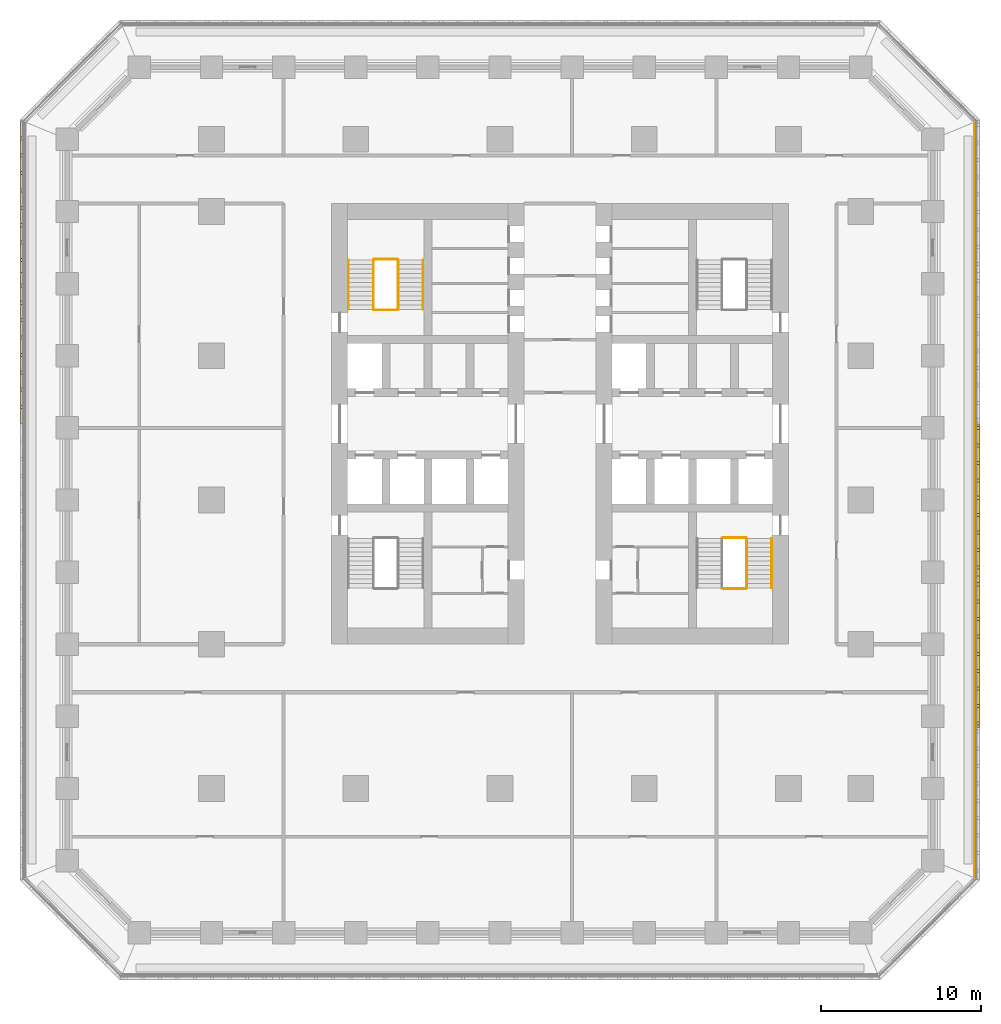
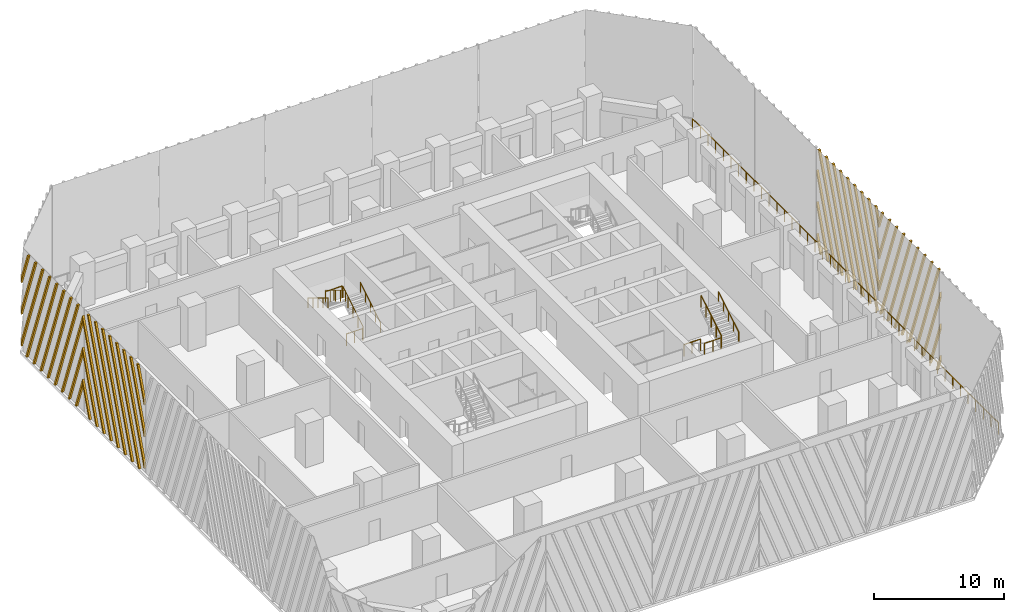
# One storey, part 9 of 12: 11 railings, 4 shading devices.
"""IFC4 building model written with IfcOpenShell, lengths in metres."""

from ifc_helpers import new_model, si_unit, direction, frame, origin, origin_2d, place, context, subcontext, project, spatial, polyline, circle, outline, extrude, source, transform, mapped, material, type_object, element, save


model = new_model("IFC4")

# Units and contexts
model_context = context("Model", 3, precision=1e-05, world=origin(), true_north=direction((0.0, 1.0)))
body_context = subcontext(model_context, "Body", "Model", "MODEL_VIEW")
ifc_project = project(units=[si_unit("LENGTHUNIT", "METRE"), si_unit("AREAUNIT", "SQUARE_METRE"), si_unit("VOLUMEUNIT", "CUBIC_METRE"), si_unit("PLANEANGLEUNIT", "RADIAN"), si_unit("MASSUNIT", "GRAM", prefix="KILO")], contexts=[model_context])

# Site, building, storey
site_placement = place(None, origin())
site = spatial("IfcSite", under=ifc_project, at=site_placement, CompositionType="ELEMENT")
building_placement = place(site_placement, origin())
building = spatial("IfcBuilding", under=site, at=building_placement, Name="Corbel Stack Research Tower", CompositionType="ELEMENT")
storey_placement = place(building_placement, frame((0.0, 0.0, 31.800048828125)))
storey = spatial("IfcBuildingStorey", under=building, at=storey_placement, Name="L07", CompositionType="ELEMENT", Elevation=31.800048828125)

# Railings
ifc_material_1 = material(Name="Steel S355", Category="steel")
railing_type_1 = type_object("IfcRailingType", Name="Stair guard 1100", PredefinedType="GUARDRAIL", material=ifc_material_1)
railing_1_placement = place(storey_placement, frame((-6.35009765625, 11.89990234375, 0.1708984375)))
element("IfcRailing", 1, at=railing_1_placement, inside=storey, type_object=railing_type_1, Name="L07 ST-W2 stair guard 1", PredefinedType="GUARDRAIL", context=body_context, shape_type="SweptSolid", body=[
    extrude(circle(Radius=0.02392578125, at=origin_2d()), frame((0.0, 0.0, 1.076171875), z_axis=(0.0, 0.853666305674, 0.52082035152), x_axis=(-1.0, 0.0, 0.0)), (0.0, 0.0, 1.0), 3.608154296875),
    extrude(circle(Radius=0.02099609375, at=origin_2d()), origin(), (0.0, 0.0, 1.0), 1.052001953125),
    extrude(circle(Radius=0.02099609375, at=origin_2d()), frame((0.0, 0.77001953125, 0.4697265625)), (0.0, 0.0, 1.0), 1.052001953125),
    extrude(circle(Radius=0.02099609375, at=origin_2d()), frame((0.0, 1.5400390625, 0.939453125)), (0.0, 0.0, 1.0), 1.052001953125),
    extrude(circle(Radius=0.02099609375, at=origin_2d()), frame((0.0, 2.31005859375, 1.409423828125)), (0.0, 0.0, 1.0), 1.052001953125),
    extrude(circle(Radius=0.02099609375, at=origin_2d()), frame((0.0, 3.080078125, 1.879150390625)), (0.0, 0.0, 1.0), 1.052001953125),
])
railing_2_placement = place(storey_placement, frame((-6.39990234375, 15.030029296875, 2.050048828125)))
element("IfcRailing", 2, at=railing_2_placement, inside=storey, type_object=railing_type_1, Name="L07 ST-W2 stair guard 2", PredefinedType="GUARDRAIL", context=body_context, shape_type="SweptSolid", body=[
    extrude(circle(Radius=0.02392578125, at=origin_2d()), frame((0.0, 0.0, 1.076171875), z_axis=(-1.0, 0.0, 0.0), x_axis=(0.0, -1.0, 0.0)), (0.0, 0.0, 1.0), 1.4501953125),
    extrude(circle(Radius=0.02099609375, at=origin_2d()), origin(), (0.0, 0.0, 1.0), 1.052001953125),
    extrude(circle(Radius=0.02099609375, at=origin_2d()), frame((-0.72509765625, 0.0, 0.0)), (0.0, 0.0, 1.0), 1.052001953125),
    extrude(circle(Radius=0.02099609375, at=origin_2d()), frame((-1.4501953125, 0.0, 0.0)), (0.0, 0.0, 1.0), 1.052001953125),
])
railing_3_placement = place(storey_placement, frame((-7.89990234375, 14.97998046875, 2.220703125)))
element("IfcRailing", 3, at=railing_3_placement, inside=storey, type_object=railing_type_1, Name="L07 ST-W2 stair guard 3", PredefinedType="GUARDRAIL", context=body_context, shape_type="SweptSolid", body=[
    extrude(circle(Radius=0.02392578125, at=origin_2d()), frame((0.0, 0.0, 1.076171875), z_axis=(0.0, -0.853666305674, 0.52082035152), x_axis=(1.0, 0.0, 0.0)), (0.0, 0.0, 1.0), 3.608154296875),
    extrude(circle(Radius=0.02099609375, at=origin_2d()), origin(), (0.0, 0.0, 1.0), 1.052001953125),
    extrude(circle(Radius=0.02099609375, at=origin_2d()), frame((0.0, -0.77001953125, 0.4697265625)), (0.0, 0.0, 1.0), 1.052001953125),
    extrude(circle(Radius=0.02099609375, at=origin_2d()), frame((0.0, -1.5400390625, 0.939453125)), (0.0, 0.0, 1.0), 1.052001953125),
    extrude(circle(Radius=0.02099609375, at=origin_2d()), frame((0.0, -2.31005859375, 1.409423828125)), (0.0, 0.0, 1.0), 1.052001953125),
    extrude(circle(Radius=0.02099609375, at=origin_2d()), frame((0.0, -3.080078125, 1.879150390625)), (0.0, 0.0, 1.0), 1.052001953125),
])
railing_4_placement = place(storey_placement, frame((-6.39990234375, 11.85009765625, 0.0)))
element("IfcRailing", 4, at=railing_4_placement, inside=storey, type_object=railing_type_1, Name="L07 ST-W2 stair guard 4", PredefinedType="GUARDRAIL", context=body_context, shape_type="SweptSolid", body=[
    extrude(circle(Radius=0.02392578125, at=origin_2d()), frame((0.0, 0.0, 1.076171875), z_axis=(-1.0, 0.0, 0.0), x_axis=(0.0, -1.0, 0.0)), (0.0, 0.0, 1.0), 1.4501953125),
    extrude(circle(Radius=0.02099609375, at=origin_2d()), origin(), (0.0, 0.0, 1.0), 1.052001953125),
    extrude(circle(Radius=0.02099609375, at=origin_2d()), frame((-0.72509765625, 0.0, 0.0)), (0.0, 0.0, 1.0), 1.052001953125),
    extrude(circle(Radius=0.02099609375, at=origin_2d()), frame((-1.4501953125, 0.0, 0.0)), (0.0, 0.0, 1.0), 1.052001953125),
])
railing_5_placement = place(storey_placement, frame((13.89990234375, -5.530029296875, 2.050048828125)))
element("IfcRailing", 5, at=railing_5_placement, inside=storey, type_object=railing_type_1, Name="L07 ST-E1 stair guard 2", PredefinedType="GUARDRAIL", context=body_context, shape_type="SweptSolid", body=[
    extrude(circle(Radius=0.02392578125, at=origin_2d()), frame((0.0, 0.0, 1.076171875), z_axis=(1.0, 0.0, 0.0), x_axis=(0.0, 1.0, 0.0)), (0.0, 0.0, 1.0), 1.4501953125),
    extrude(circle(Radius=0.02099609375, at=origin_2d()), origin(), (0.0, 0.0, 1.0), 1.052001953125),
    extrude(circle(Radius=0.02099609375, at=origin_2d()), frame((0.72509765625, 0.0, 0.0)), (0.0, 0.0, 1.0), 1.052001953125),
    extrude(circle(Radius=0.02099609375, at=origin_2d()), frame((1.4501953125, 0.0, 0.0)), (0.0, 0.0, 1.0), 1.052001953125),
])
railing_6_placement = place(storey_placement, frame((15.39990234375, -5.47998046875, 2.220703125)))
element("IfcRailing", 6, at=railing_6_placement, inside=storey, type_object=railing_type_1, Name="L07 ST-E1 stair guard 3", PredefinedType="GUARDRAIL", context=body_context, shape_type="SweptSolid", body=[
    extrude(circle(Radius=0.02392578125, at=origin_2d()), frame((0.0, 0.0, 1.076171875), z_axis=(0.0, 0.853666305674, 0.52082035152), x_axis=(-1.0, 0.0, 0.0)), (0.0, 0.0, 1.0), 3.608154296875),
    extrude(circle(Radius=0.02099609375, at=origin_2d()), origin(), (0.0, 0.0, 1.0), 1.052001953125),
    extrude(circle(Radius=0.02099609375, at=origin_2d()), frame((0.0, 0.77001953125, 0.4697265625)), (0.0, 0.0, 1.0), 1.052001953125),
    extrude(circle(Radius=0.02099609375, at=origin_2d()), frame((0.0, 1.5400390625, 0.939453125)), (0.0, 0.0, 1.0), 1.052001953125),
    extrude(circle(Radius=0.02099609375, at=origin_2d()), frame((0.0, 2.31005859375, 1.409423828125)), (0.0, 0.0, 1.0), 1.052001953125),
    extrude(circle(Radius=0.02099609375, at=origin_2d()), frame((0.0, 3.080078125, 1.879150390625)), (0.0, 0.0, 1.0), 1.052001953125),
])
railing_7_placement = place(storey_placement, frame((13.89990234375, -2.35009765625, 0.0)))
element("IfcRailing", 7, at=railing_7_placement, inside=storey, type_object=railing_type_1, Name="L07 ST-E1 stair guard 4", PredefinedType="GUARDRAIL", context=body_context, shape_type="SweptSolid", body=[
    extrude(circle(Radius=0.02392578125, at=origin_2d()), frame((0.0, 0.0, 1.076171875), z_axis=(1.0, 0.0, 0.0), x_axis=(0.0, 1.0, 0.0)), (0.0, 0.0, 1.0), 1.4501953125),
    extrude(circle(Radius=0.02099609375, at=origin_2d()), origin(), (0.0, 0.0, 1.0), 1.052001953125),
    extrude(circle(Radius=0.02099609375, at=origin_2d()), frame((0.72509765625, 0.0, 0.0)), (0.0, 0.0, 1.0), 1.052001953125),
    extrude(circle(Radius=0.02099609375, at=origin_2d()), frame((1.4501953125, 0.0, 0.0)), (0.0, 0.0, 1.0), 1.052001953125),
])
ifc_material_2 = material(Name="Steel S355", Category="steel")
railing_type_2 = type_object("IfcRailingType", Name="Stair handrail 900", PredefinedType="HANDRAIL", material=ifc_material_2)
railing_8_placement = place(storey_placement, frame((-4.800048828125, 11.89990234375, 0.1708984375)))
element("IfcRailing", 8, at=railing_8_placement, inside=storey, type_object=railing_type_2, Name="L07 ST-W2 stair handrail 1", PredefinedType="HANDRAIL", context=body_context, shape_type="SweptSolid", body=[
    extrude(circle(Radius=0.02392578125, at=origin_2d()), frame((0.0, 0.0, 0.8759765625), z_axis=(0.0, 0.853666305674, 0.52082035152), x_axis=(-1.0, 0.0, 0.0)), (0.0, 0.0, 1.0), 3.608154296875),
    extrude(circle(Radius=0.02099609375, at=origin_2d()), origin(), (0.0, 0.0, 1.0), 0.851806640625),
    extrude(circle(Radius=0.02099609375, at=origin_2d()), frame((0.0, 0.77001953125, 0.4697265625)), (0.0, 0.0, 1.0), 0.851806640625),
    extrude(circle(Radius=0.02099609375, at=origin_2d()), frame((0.0, 1.5400390625, 0.939453125)), (0.0, 0.0, 1.0), 0.851806640625),
    extrude(circle(Radius=0.02099609375, at=origin_2d()), frame((0.0, 2.31005859375, 1.409423828125)), (0.0, 0.0, 1.0), 0.851806640625),
    extrude(circle(Radius=0.02099609375, at=origin_2d()), frame((0.0, 3.080078125, 1.879150390625)), (0.0, 0.0, 1.0), 0.851806640625),
])
railing_9_placement = place(storey_placement, frame((-9.449951171875, 14.97998046875, 2.220703125)))
element("IfcRailing", 9, at=railing_9_placement, inside=storey, type_object=railing_type_2, Name="L07 ST-W2 stair handrail 2", PredefinedType="HANDRAIL", context=body_context, shape_type="SweptSolid", body=[
    extrude(circle(Radius=0.02392578125, at=origin_2d()), frame((0.0, 0.0, 0.8759765625), z_axis=(0.0, -0.853666305674, 0.52082035152), x_axis=(1.0, 0.0, 0.0)), (0.0, 0.0, 1.0), 3.608154296875),
    extrude(circle(Radius=0.02099609375, at=origin_2d()), origin(), (0.0, 0.0, 1.0), 0.851806640625),
    extrude(circle(Radius=0.02099609375, at=origin_2d()), frame((0.0, -0.77001953125, 0.4697265625)), (0.0, 0.0, 1.0), 0.851806640625),
    extrude(circle(Radius=0.02099609375, at=origin_2d()), frame((0.0, -1.5400390625, 0.939453125)), (0.0, 0.0, 1.0), 0.851806640625),
    extrude(circle(Radius=0.02099609375, at=origin_2d()), frame((0.0, -2.31005859375, 1.409423828125)), (0.0, 0.0, 1.0), 0.851806640625),
    extrude(circle(Radius=0.02099609375, at=origin_2d()), frame((0.0, -3.080078125, 1.879150390625)), (0.0, 0.0, 1.0), 0.851806640625),
])
railing_10_placement = place(storey_placement, frame((16.949951171875, -5.47998046875, 2.220703125)))
element("IfcRailing", 10, at=railing_10_placement, inside=storey, type_object=railing_type_2, Name="L07 ST-E1 stair handrail 2", PredefinedType="HANDRAIL", context=body_context, shape_type="SweptSolid", body=[
    extrude(circle(Radius=0.02392578125, at=origin_2d()), frame((0.0, 0.0, 0.8759765625), z_axis=(0.0, 0.853666305674, 0.52082035152), x_axis=(-1.0, 0.0, 0.0)), (0.0, 0.0, 1.0), 3.608154296875),
    extrude(circle(Radius=0.02099609375, at=origin_2d()), origin(), (0.0, 0.0, 1.0), 0.851806640625),
    extrude(circle(Radius=0.02099609375, at=origin_2d()), frame((0.0, 0.77001953125, 0.4697265625)), (0.0, 0.0, 1.0), 0.851806640625),
    extrude(circle(Radius=0.02099609375, at=origin_2d()), frame((0.0, 1.5400390625, 0.939453125)), (0.0, 0.0, 1.0), 0.851806640625),
    extrude(circle(Radius=0.02099609375, at=origin_2d()), frame((0.0, 2.31005859375, 1.409423828125)), (0.0, 0.0, 1.0), 0.851806640625),
    extrude(circle(Radius=0.02099609375, at=origin_2d()), frame((0.0, 3.080078125, 1.879150390625)), (0.0, 0.0, 1.0), 0.851806640625),
])
ifc_material_3 = material(Name="Powder-coated steel guard", Category="steel")
railing_type_3 = type_object("IfcRailingType", Name="Steel and glass guard 1100", PredefinedType="GUARDRAIL", material=ifc_material_3)
railing_11_placement = place(storey_placement, frame((29.60009765625, -23.50537109375, 0.0)))
element("IfcRailing", 11, at=railing_11_placement, inside=storey, type_object=railing_type_3, Name="Loggia guard L07 E", PredefinedType="GUARDRAIL", context=body_context, shape_type="SweptSolid", body=[
    extrude(circle(Radius=0.02392578125, at=origin_2d()), frame((0.0, 0.0, 1.076171875), z_axis=(0.0, 1.0, 0.0), x_axis=(-1.0, 0.0, 0.0)), (0.0, 0.0, 1.0), 47.0107421875),
    extrude(circle(Radius=0.02099609375, at=origin_2d()), origin(), (0.0, 0.0, 1.0), 1.052001953125),
    extrude(circle(Radius=0.02099609375, at=origin_2d()), frame((0.0, 1.17529296875, 0.0)), (0.0, 0.0, 1.0), 1.052001953125),
    extrude(circle(Radius=0.02099609375, at=origin_2d()), frame((0.0, 2.3505859375, 0.0)), (0.0, 0.0, 1.0), 1.052001953125),
    extrude(circle(Radius=0.02099609375, at=origin_2d()), frame((0.0, 3.52587890625, 0.0)), (0.0, 0.0, 1.0), 1.052001953125),
    extrude(circle(Radius=0.02099609375, at=origin_2d()), frame((0.0, 4.701171875, 0.0)), (0.0, 0.0, 1.0), 1.052001953125),
    extrude(circle(Radius=0.02099609375, at=origin_2d()), frame((0.0, 5.87646484375, 0.0)), (0.0, 0.0, 1.0), 1.052001953125),
    extrude(circle(Radius=0.02099609375, at=origin_2d()), frame((0.0, 7.051513671875, 0.0)), (0.0, 0.0, 1.0), 1.052001953125),
    extrude(circle(Radius=0.02099609375, at=origin_2d()), frame((0.0, 8.226806640625, 0.0)), (0.0, 0.0, 1.0), 1.052001953125),
    extrude(circle(Radius=0.02099609375, at=origin_2d()), frame((0.0, 9.402099609375, 0.0)), (0.0, 0.0, 1.0), 1.052001953125),
    extrude(circle(Radius=0.02099609375, at=origin_2d()), frame((0.0, 10.577392578125, 0.0)), (0.0, 0.0, 1.0), 1.052001953125),
    extrude(circle(Radius=0.02099609375, at=origin_2d()), frame((0.0, 11.752685546875, 0.0)), (0.0, 0.0, 1.0), 1.052001953125),
    extrude(circle(Radius=0.02099609375, at=origin_2d()), frame((0.0, 12.927978515625, 0.0)), (0.0, 0.0, 1.0), 1.052001953125),
    extrude(circle(Radius=0.02099609375, at=origin_2d()), frame((0.0, 14.103271484375, 0.0)), (0.0, 0.0, 1.0), 1.052001953125),
    extrude(circle(Radius=0.02099609375, at=origin_2d()), frame((0.0, 15.278564453125, 0.0)), (0.0, 0.0, 1.0), 1.052001953125),
    extrude(circle(Radius=0.02099609375, at=origin_2d()), frame((0.0, 16.453857421875, 0.0)), (0.0, 0.0, 1.0), 1.052001953125),
    extrude(circle(Radius=0.02099609375, at=origin_2d()), frame((0.0, 17.62890625, 0.0)), (0.0, 0.0, 1.0), 1.052001953125),
    extrude(circle(Radius=0.02099609375, at=origin_2d()), frame((0.0, 18.80419921875, 0.0)), (0.0, 0.0, 1.0), 1.052001953125),
    extrude(circle(Radius=0.02099609375, at=origin_2d()), frame((0.0, 19.9794921875, 0.0)), (0.0, 0.0, 1.0), 1.052001953125),
    extrude(circle(Radius=0.02099609375, at=origin_2d()), frame((0.0, 21.15478515625, 0.0)), (0.0, 0.0, 1.0), 1.052001953125),
    extrude(circle(Radius=0.02099609375, at=origin_2d()), frame((0.0, 22.330078125, 0.0)), (0.0, 0.0, 1.0), 1.052001953125),
    extrude(circle(Radius=0.02099609375, at=origin_2d()), frame((0.0, 23.50537109375, 0.0)), (0.0, 0.0, 1.0), 1.052001953125),
    extrude(circle(Radius=0.02099609375, at=origin_2d()), frame((0.0, 24.6806640625, 0.0)), (0.0, 0.0, 1.0), 1.052001953125),
    extrude(circle(Radius=0.02099609375, at=origin_2d()), frame((0.0, 25.85595703125, 0.0)), (0.0, 0.0, 1.0), 1.052001953125),
    extrude(circle(Radius=0.02099609375, at=origin_2d()), frame((0.0, 27.03125, 0.0)), (0.0, 0.0, 1.0), 1.052001953125),
    extrude(circle(Radius=0.02099609375, at=origin_2d()), frame((0.0, 28.20654296875, 0.0)), (0.0, 0.0, 1.0), 1.052001953125),
    extrude(circle(Radius=0.02099609375, at=origin_2d()), frame((0.0, 29.3818359375, 0.0)), (0.0, 0.0, 1.0), 1.052001953125),
    extrude(circle(Radius=0.02099609375, at=origin_2d()), frame((0.0, 30.556884765625, 0.0)), (0.0, 0.0, 1.0), 1.052001953125),
    extrude(circle(Radius=0.02099609375, at=origin_2d()), frame((0.0, 31.732177734375, 0.0)), (0.0, 0.0, 1.0), 1.052001953125),
    extrude(circle(Radius=0.02099609375, at=origin_2d()), frame((0.0, 32.907470703125, 0.0)), (0.0, 0.0, 1.0), 1.052001953125),
    extrude(circle(Radius=0.02099609375, at=origin_2d()), frame((0.0, 34.082763671875, 0.0)), (0.0, 0.0, 1.0), 1.052001953125),
    extrude(circle(Radius=0.02099609375, at=origin_2d()), frame((0.0, 35.258056640625, 0.0)), (0.0, 0.0, 1.0), 1.052001953125),
    extrude(circle(Radius=0.02099609375, at=origin_2d()), frame((0.0, 36.433349609375, 0.0)), (0.0, 0.0, 1.0), 1.052001953125),
    extrude(circle(Radius=0.02099609375, at=origin_2d()), frame((0.0, 37.608642578125, 0.0)), (0.0, 0.0, 1.0), 1.052001953125),
    extrude(circle(Radius=0.02099609375, at=origin_2d()), frame((0.0, 38.783935546875, 0.0)), (0.0, 0.0, 1.0), 1.052001953125),
    extrude(circle(Radius=0.02099609375, at=origin_2d()), frame((0.0, 39.959228515625, 0.0)), (0.0, 0.0, 1.0), 1.052001953125),
    extrude(circle(Radius=0.02099609375, at=origin_2d()), frame((0.0, 41.13427734375, 0.0)), (0.0, 0.0, 1.0), 1.052001953125),
    extrude(circle(Radius=0.02099609375, at=origin_2d()), frame((0.0, 42.3095703125, 0.0)), (0.0, 0.0, 1.0), 1.052001953125),
    extrude(circle(Radius=0.02099609375, at=origin_2d()), frame((0.0, 43.48486328125, 0.0)), (0.0, 0.0, 1.0), 1.052001953125),
    extrude(circle(Radius=0.02099609375, at=origin_2d()), frame((0.0, 44.66015625, 0.0)), (0.0, 0.0, 1.0), 1.052001953125),
    extrude(circle(Radius=0.02099609375, at=origin_2d()), frame((0.0, 45.83544921875, 0.0)), (0.0, 0.0, 1.0), 1.052001953125),
    extrude(circle(Radius=0.02099609375, at=origin_2d()), frame((0.0, 47.0107421875, 0.0)), (0.0, 0.0, 1.0), 1.052001953125),
])

# Shading devices
ifc_material_4 = material(Name="Precast terracotta", Category="masonry")
shading_device_type = type_object("IfcShadingDeviceType", Name="Terracotta screen panel", PredefinedType="USERDEFINED", material=ifc_material_4)
shared_shape_1 = source(origin(), body_context, "Body", "SweptSolid", [
    extrude(outline(polyline([(0.62451171875, 9.64990234375), (0.4345703125, 9.64990234375), (0.0, 8.456298828125), (0.0, 7.93408203125), (0.62451171875, 9.64990234375)])), frame((0.0, 0.0, 0.0), z_axis=(0.0, -1.0, 0.0), x_axis=(1.0, 0.0, 0.0)), (0.0, 0.0, 1.0), 0.179931640625),
    extrude(outline(polyline([(1.708984375, 9.64990234375), (1.51904296875, 9.64990234375), (0.0, 5.476318359375), (0.0, 4.9541015625), (1.708984375, 9.64990234375)])), frame((0.0, 0.0, 0.0), z_axis=(0.0, -1.0, 0.0), x_axis=(1.0, 0.0, 0.0)), (0.0, 0.0, 1.0), 0.179931640625),
    extrude(outline(polyline([(2.793701171875, 9.64990234375), (2.603759765625, 9.64990234375), (0.0, 2.49609375), (0.0, 1.97412109375), (2.793701171875, 9.64990234375)])), frame((0.0, 0.0, 0.0), z_axis=(0.0, -1.0, 0.0), x_axis=(1.0, 0.0, 0.0)), (0.0, 0.0, 1.0), 0.179931640625),
    extrude(outline(polyline([(0.3662109375, 0.0), (3.87841796875, 9.64990234375), (3.6884765625, 9.64990234375), (0.17626953125, 0.0), (0.3662109375, 0.0)])), frame((0.0, 0.0, 0.0), z_axis=(0.0, -1.0, 0.0), x_axis=(1.0, 0.0, 0.0)), (0.0, 0.0, 1.0), 0.179931640625),
    extrude(outline(polyline([(1.45068359375, 0.0), (4.963134765625, 9.64990234375), (4.773193359375, 9.64990234375), (1.2607421875, 0.0), (1.45068359375, 0.0)])), frame((0.0, 0.0, 0.0), z_axis=(0.0, -1.0, 0.0), x_axis=(1.0, 0.0, 0.0)), (0.0, 0.0, 1.0), 0.179931640625),
    extrude(outline(polyline([(2.535400390625, 0.0), (6.0478515625, 9.64990234375), (5.85791015625, 9.64990234375), (2.345458984375, 0.0), (2.535400390625, 0.0)])), frame((0.0, 0.0, 0.0), z_axis=(0.0, -1.0, 0.0), x_axis=(1.0, 0.0, 0.0)), (0.0, 0.0, 1.0), 0.179931640625),
    extrude(outline(polyline([(3.6201171875, 0.0), (7.132568359375, 9.64990234375), (6.9423828125, 9.64990234375), (3.43017578125, 0.0), (3.6201171875, 0.0)])), frame((0.0, 0.0, 0.0), z_axis=(0.0, -1.0, 0.0), x_axis=(1.0, 0.0, 0.0)), (0.0, 0.0, 1.0), 0.179931640625),
    extrude(outline(polyline([(4.704833984375, 0.0), (8.217041015625, 9.64990234375), (8.027099609375, 9.64990234375), (4.514892578125, 0.0), (4.704833984375, 0.0)])), frame((0.0, 0.0, 0.0), z_axis=(0.0, -1.0, 0.0), x_axis=(1.0, 0.0, 0.0)), (0.0, 0.0, 1.0), 0.179931640625),
    extrude(outline(polyline([(5.78955078125, 0.0), (9.3017578125, 9.64990234375), (9.11181640625, 9.64990234375), (5.599609375, 0.0), (5.78955078125, 0.0)])), frame((0.0, 0.0, 0.0), z_axis=(0.0, -1.0, 0.0), x_axis=(1.0, 0.0, 0.0)), (0.0, 0.0, 1.0), 0.179931640625),
    extrude(outline(polyline([(6.874267578125, 0.0), (9.45556640625, 7.092529296875), (9.45556640625, 7.614501953125), (6.68408203125, 0.0), (6.874267578125, 0.0)])), frame((0.0, 0.0, 0.0), z_axis=(0.0, -1.0, 0.0), x_axis=(1.0, 0.0, 0.0)), (0.0, 0.0, 1.0), 0.179931640625),
    extrude(outline(polyline([(7.958740234375, 0.0), (9.45556640625, 4.1123046875), (9.45556640625, 4.634521484375), (7.768798828125, 0.0), (7.958740234375, 0.0)])), frame((0.0, 0.0, 0.0), z_axis=(0.0, -1.0, 0.0), x_axis=(1.0, 0.0, 0.0)), (0.0, 0.0, 1.0), 0.179931640625),
    extrude(outline(polyline([(9.04345703125, 0.0), (9.45556640625, 1.13232421875), (9.45556640625, 1.654296875), (8.853515625, 0.0), (9.04345703125, 0.0)])), frame((0.0, 0.0, 0.0), z_axis=(0.0, -1.0, 0.0), x_axis=(1.0, 0.0, 0.0)), (0.0, 0.0, 1.0), 0.179931640625),
])
shading_device_1_placement = place(storey_placement, frame((29.75, -4.727783203125, 0.0), z_axis=(0.0, 0.0, 1.0), x_axis=(0.0, 1.0, 0.0)))
element("IfcShadingDevice", 12, at=shading_device_1_placement, inside=storey, type_object=shading_device_type, Name="Terracotta screen L07 E3", ObjectType="SCREEN", PredefinedType="USERDEFINED", context=body_context, shape_type="MappedRepresentation", body=[
    mapped(shared_shape_1, transform((0.0, 0.0, 0.0))),
])
shared_shape_2 = source(origin(), body_context, "Body", "SweptSolid", [
    extrude(outline(polyline([(0.60205078125, 0.0), (0.0, 1.654296875), (0.0, 1.13232421875), (0.412109375, 0.0), (0.60205078125, 0.0)])), frame((0.0, 0.0, 0.0), z_axis=(0.0, -1.0, 0.0), x_axis=(1.0, 0.0, 0.0)), (0.0, 0.0, 1.0), 0.179931640625),
    extrude(outline(polyline([(1.686767578125, 0.0), (0.0, 4.634521484375), (0.0, 4.1123046875), (1.496826171875, 0.0), (1.686767578125, 0.0)])), frame((0.0, 0.0, 0.0), z_axis=(0.0, -1.0, 0.0), x_axis=(1.0, 0.0, 0.0)), (0.0, 0.0, 1.0), 0.179931640625),
    extrude(outline(polyline([(2.771484375, 0.0), (0.0, 7.614501953125), (0.0, 7.092529296875), (2.58154296875, 0.0), (2.771484375, 0.0)])), frame((0.0, 0.0, 0.0), z_axis=(0.0, -1.0, 0.0), x_axis=(1.0, 0.0, 0.0)), (0.0, 0.0, 1.0), 0.179931640625),
    extrude(outline(polyline([(3.856201171875, 0.0), (0.34375, 9.64990234375), (0.15380859375, 9.64990234375), (3.666015625, 0.0), (3.856201171875, 0.0)])), frame((0.0, 0.0, 0.0), z_axis=(0.0, -1.0, 0.0), x_axis=(1.0, 0.0, 0.0)), (0.0, 0.0, 1.0), 0.179931640625),
    extrude(outline(polyline([(4.94091796875, 0.0), (1.428466796875, 9.64990234375), (1.238525390625, 9.64990234375), (4.750732421875, 0.0), (4.94091796875, 0.0)])), frame((0.0, 0.0, 0.0), z_axis=(0.0, -1.0, 0.0), x_axis=(1.0, 0.0, 0.0)), (0.0, 0.0, 1.0), 0.179931640625),
    extrude(outline(polyline([(6.025390625, 0.0), (2.51318359375, 9.64990234375), (2.3232421875, 9.64990234375), (5.83544921875, 0.0), (6.025390625, 0.0)])), frame((0.0, 0.0, 0.0), z_axis=(0.0, -1.0, 0.0), x_axis=(1.0, 0.0, 0.0)), (0.0, 0.0, 1.0), 0.179931640625),
    extrude(outline(polyline([(7.110107421875, 0.0), (3.597900390625, 9.64990234375), (3.40771484375, 9.64990234375), (6.920166015625, 0.0), (7.110107421875, 0.0)])), frame((0.0, 0.0, 0.0), z_axis=(0.0, -1.0, 0.0), x_axis=(1.0, 0.0, 0.0)), (0.0, 0.0, 1.0), 0.179931640625),
    extrude(outline(polyline([(8.19482421875, 0.0), (4.6826171875, 9.64990234375), (4.492431640625, 9.64990234375), (8.0048828125, 0.0), (8.19482421875, 0.0)])), frame((0.0, 0.0, 0.0), z_axis=(0.0, -1.0, 0.0), x_axis=(1.0, 0.0, 0.0)), (0.0, 0.0, 1.0), 0.179931640625),
    extrude(outline(polyline([(9.279541015625, 0.0), (5.76708984375, 9.64990234375), (5.5771484375, 9.64990234375), (9.089599609375, 0.0), (9.279541015625, 0.0)])), frame((0.0, 0.0, 0.0), z_axis=(0.0, -1.0, 0.0), x_axis=(1.0, 0.0, 0.0)), (0.0, 0.0, 1.0), 0.179931640625),
    extrude(outline(polyline([(6.851806640625, 9.64990234375), (6.661865234375, 9.64990234375), (9.45556640625, 1.97412109375), (9.45556640625, 2.49609375), (6.851806640625, 9.64990234375)])), frame((0.0, 0.0, 0.0), z_axis=(0.0, -1.0, 0.0), x_axis=(1.0, 0.0, 0.0)), (0.0, 0.0, 1.0), 0.179931640625),
    extrude(outline(polyline([(7.9365234375, 9.64990234375), (7.74658203125, 9.64990234375), (9.45556640625, 4.9541015625), (9.45556640625, 5.476318359375), (7.9365234375, 9.64990234375)])), frame((0.0, 0.0, 0.0), z_axis=(0.0, -1.0, 0.0), x_axis=(1.0, 0.0, 0.0)), (0.0, 0.0, 1.0), 0.179931640625),
    extrude(outline(polyline([(9.021240234375, 9.64990234375), (8.831298828125, 9.64990234375), (9.45556640625, 7.93408203125), (9.45556640625, 8.456298828125), (9.021240234375, 9.64990234375)])), frame((0.0, 0.0, 0.0), z_axis=(0.0, -1.0, 0.0), x_axis=(1.0, 0.0, 0.0)), (0.0, 0.0, 1.0), 0.179931640625),
])
shading_device_2_placement = place(storey_placement, frame((29.75, -14.18359375, 0.0), z_axis=(0.0, 0.0, 1.0), x_axis=(0.0, 1.0, 0.0)))
element("IfcShadingDevice", 13, at=shading_device_2_placement, inside=storey, type_object=shading_device_type, Name="Terracotta screen L07 E2", ObjectType="SCREEN", PredefinedType="USERDEFINED", context=body_context, shape_type="MappedRepresentation", body=[
    mapped(shared_shape_2, transform((0.0, 0.0, 0.0))),
])
shared_shape_3 = source(origin(), body_context, "Body", "SweptSolid", [
    extrude(outline(polyline([(1.166748046875, 9.64990234375), (0.976806640625, 9.64990234375), (0.0, 6.96630859375), (0.0, 6.444091796875), (1.166748046875, 9.64990234375)])), frame((0.0, 0.0, 0.0), z_axis=(0.0, -1.0, 0.0), x_axis=(1.0, 0.0, 0.0)), (0.0, 0.0, 1.0), 0.179931640625),
    extrude(outline(polyline([(2.25146484375, 9.64990234375), (2.0615234375, 9.64990234375), (0.0, 3.986083984375), (0.0, 3.464111328125), (2.25146484375, 9.64990234375)])), frame((0.0, 0.0, 0.0), z_axis=(0.0, -1.0, 0.0), x_axis=(1.0, 0.0, 0.0)), (0.0, 0.0, 1.0), 0.179931640625),
    extrude(outline(polyline([(3.336181640625, 9.64990234375), (3.14599609375, 9.64990234375), (0.0, 1.006103515625), (0.0, 0.48388671875), (3.336181640625, 9.64990234375)])), frame((0.0, 0.0, 0.0), z_axis=(0.0, -1.0, 0.0), x_axis=(1.0, 0.0, 0.0)), (0.0, 0.0, 1.0), 0.179931640625),
    extrude(outline(polyline([(0.908447265625, 0.0), (4.4208984375, 9.64990234375), (4.230712890625, 9.64990234375), (0.718505859375, 0.0), (0.908447265625, 0.0)])), frame((0.0, 0.0, 0.0), z_axis=(0.0, -1.0, 0.0), x_axis=(1.0, 0.0, 0.0)), (0.0, 0.0, 1.0), 0.179931640625),
    extrude(outline(polyline([(1.9931640625, 0.0), (5.505615234375, 9.64990234375), (5.3154296875, 9.64990234375), (1.80322265625, 0.0), (1.9931640625, 0.0)])), frame((0.0, 0.0, 0.0), z_axis=(0.0, -1.0, 0.0), x_axis=(1.0, 0.0, 0.0)), (0.0, 0.0, 1.0), 0.179931640625),
    extrude(outline(polyline([(3.077880859375, 0.0), (6.590087890625, 9.64990234375), (6.400146484375, 9.64990234375), (2.8876953125, 0.0), (3.077880859375, 0.0)])), frame((0.0, 0.0, 0.0), z_axis=(0.0, -1.0, 0.0), x_axis=(1.0, 0.0, 0.0)), (0.0, 0.0, 1.0), 0.179931640625),
    extrude(outline(polyline([(4.16259765625, 0.0), (7.6748046875, 9.64990234375), (7.48486328125, 9.64990234375), (3.972412109375, 0.0), (4.16259765625, 0.0)])), frame((0.0, 0.0, 0.0), z_axis=(0.0, -1.0, 0.0), x_axis=(1.0, 0.0, 0.0)), (0.0, 0.0, 1.0), 0.179931640625),
    extrude(outline(polyline([(5.247314453125, 0.0), (8.759521484375, 9.64990234375), (8.569580078125, 9.64990234375), (5.05712890625, 0.0), (5.247314453125, 0.0)])), frame((0.0, 0.0, 0.0), z_axis=(0.0, -1.0, 0.0), x_axis=(1.0, 0.0, 0.0)), (0.0, 0.0, 1.0), 0.179931640625),
    extrude(outline(polyline([(6.331787109375, 0.0), (9.45556640625, 8.58251953125), (9.45556640625, 9.1044921875), (6.141845703125, 0.0), (6.331787109375, 0.0)])), frame((0.0, 0.0, 0.0), z_axis=(0.0, -1.0, 0.0), x_axis=(1.0, 0.0, 0.0)), (0.0, 0.0, 1.0), 0.179931640625),
    extrude(outline(polyline([(7.41650390625, 0.0), (9.45556640625, 5.6025390625), (9.45556640625, 6.12451171875), (7.2265625, 0.0), (7.41650390625, 0.0)])), frame((0.0, 0.0, 0.0), z_axis=(0.0, -1.0, 0.0), x_axis=(1.0, 0.0, 0.0)), (0.0, 0.0, 1.0), 0.179931640625),
    extrude(outline(polyline([(8.501220703125, 0.0), (9.45556640625, 2.622314453125), (9.45556640625, 3.144287109375), (8.311279296875, 0.0), (8.501220703125, 0.0)])), frame((0.0, 0.0, 0.0), z_axis=(0.0, -1.0, 0.0), x_axis=(1.0, 0.0, 0.0)), (0.0, 0.0, 1.0), 0.179931640625),
])
shading_device_3_placement = place(storey_placement, frame((-29.75, 23.63916015625, 0.0), z_axis=(0.0, 0.0, 1.0), x_axis=(0.0, -1.0, 0.0)))
element("IfcShadingDevice", 14, at=shading_device_3_placement, inside=storey, type_object=shading_device_type, Name="Terracotta screen L07 W1", ObjectType="SCREEN", PredefinedType="USERDEFINED", context=body_context, shape_type="MappedRepresentation", body=[
    mapped(shared_shape_3, transform((0.0, 0.0, 0.0))),
])
shared_shape_4 = source(origin(), body_context, "Body", "SweptSolid", [
    extrude(outline(polyline([(1.14453125, 0.0), (0.0, 3.144287109375), (0.0, 2.622314453125), (0.95458984375, 0.0), (1.14453125, 0.0)])), frame((0.0, 0.0, 0.0), z_axis=(0.0, -1.0, 0.0), x_axis=(1.0, 0.0, 0.0)), (0.0, 0.0, 1.0), 0.179931640625),
    extrude(outline(polyline([(2.22900390625, 0.0), (0.0, 6.12451171875), (0.0, 5.6025390625), (2.0390625, 0.0), (2.22900390625, 0.0)])), frame((0.0, 0.0, 0.0), z_axis=(0.0, -1.0, 0.0), x_axis=(1.0, 0.0, 0.0)), (0.0, 0.0, 1.0), 0.179931640625),
    extrude(outline(polyline([(3.313720703125, 0.0), (0.0, 9.1044921875), (0.0, 8.58251953125), (3.123779296875, 0.0), (3.313720703125, 0.0)])), frame((0.0, 0.0, 0.0), z_axis=(0.0, -1.0, 0.0), x_axis=(1.0, 0.0, 0.0)), (0.0, 0.0, 1.0), 0.179931640625),
    extrude(outline(polyline([(4.3984375, 0.0), (0.88623046875, 9.64990234375), (0.6962890625, 9.64990234375), (4.20849609375, 0.0), (4.3984375, 0.0)])), frame((0.0, 0.0, 0.0), z_axis=(0.0, -1.0, 0.0), x_axis=(1.0, 0.0, 0.0)), (0.0, 0.0, 1.0), 0.179931640625),
    extrude(outline(polyline([(5.483154296875, 0.0), (1.970703125, 9.64990234375), (1.78076171875, 9.64990234375), (5.293212890625, 0.0), (5.483154296875, 0.0)])), frame((0.0, 0.0, 0.0), z_axis=(0.0, -1.0, 0.0), x_axis=(1.0, 0.0, 0.0)), (0.0, 0.0, 1.0), 0.179931640625),
    extrude(outline(polyline([(6.56787109375, 0.0), (3.055419921875, 9.64990234375), (2.865478515625, 9.64990234375), (6.377685546875, 0.0), (6.56787109375, 0.0)])), frame((0.0, 0.0, 0.0), z_axis=(0.0, -1.0, 0.0), x_axis=(1.0, 0.0, 0.0)), (0.0, 0.0, 1.0), 0.179931640625),
    extrude(outline(polyline([(7.652587890625, 0.0), (4.14013671875, 9.64990234375), (3.9501953125, 9.64990234375), (7.46240234375, 0.0), (7.652587890625, 0.0)])), frame((0.0, 0.0, 0.0), z_axis=(0.0, -1.0, 0.0), x_axis=(1.0, 0.0, 0.0)), (0.0, 0.0, 1.0), 0.179931640625),
    extrude(outline(polyline([(8.737060546875, 0.0), (5.224853515625, 9.64990234375), (5.034912109375, 9.64990234375), (8.547119140625, 0.0), (8.737060546875, 0.0)])), frame((0.0, 0.0, 0.0), z_axis=(0.0, -1.0, 0.0), x_axis=(1.0, 0.0, 0.0)), (0.0, 0.0, 1.0), 0.179931640625),
    extrude(outline(polyline([(6.3095703125, 9.64990234375), (6.119384765625, 9.64990234375), (9.45556640625, 0.48388671875), (9.45556640625, 1.006103515625), (6.3095703125, 9.64990234375)])), frame((0.0, 0.0, 0.0), z_axis=(0.0, -1.0, 0.0), x_axis=(1.0, 0.0, 0.0)), (0.0, 0.0, 1.0), 0.179931640625),
    extrude(outline(polyline([(7.394287109375, 9.64990234375), (7.2041015625, 9.64990234375), (9.45556640625, 3.464111328125), (9.45556640625, 3.986083984375), (7.394287109375, 9.64990234375)])), frame((0.0, 0.0, 0.0), z_axis=(0.0, -1.0, 0.0), x_axis=(1.0, 0.0, 0.0)), (0.0, 0.0, 1.0), 0.179931640625),
    extrude(outline(polyline([(8.478759765625, 9.64990234375), (8.288818359375, 9.64990234375), (9.45556640625, 6.444091796875), (9.45556640625, 6.96630859375), (8.478759765625, 9.64990234375)])), frame((0.0, 0.0, 0.0), z_axis=(0.0, -1.0, 0.0), x_axis=(1.0, 0.0, 0.0)), (0.0, 0.0, 1.0), 0.179931640625),
])
shading_device_4_placement = place(storey_placement, frame((-29.75, 14.18359375, 0.0), z_axis=(0.0, 0.0, 1.0), x_axis=(0.0, -1.0, 0.0)))
element("IfcShadingDevice", 15, at=shading_device_4_placement, inside=storey, type_object=shading_device_type, Name="Terracotta screen L07 W2", ObjectType="SCREEN", PredefinedType="USERDEFINED", context=body_context, shape_type="MappedRepresentation", body=[
    mapped(shared_shape_4, transform((0.0, 0.0, 0.0))),
])

save(model, "model.ifc")
